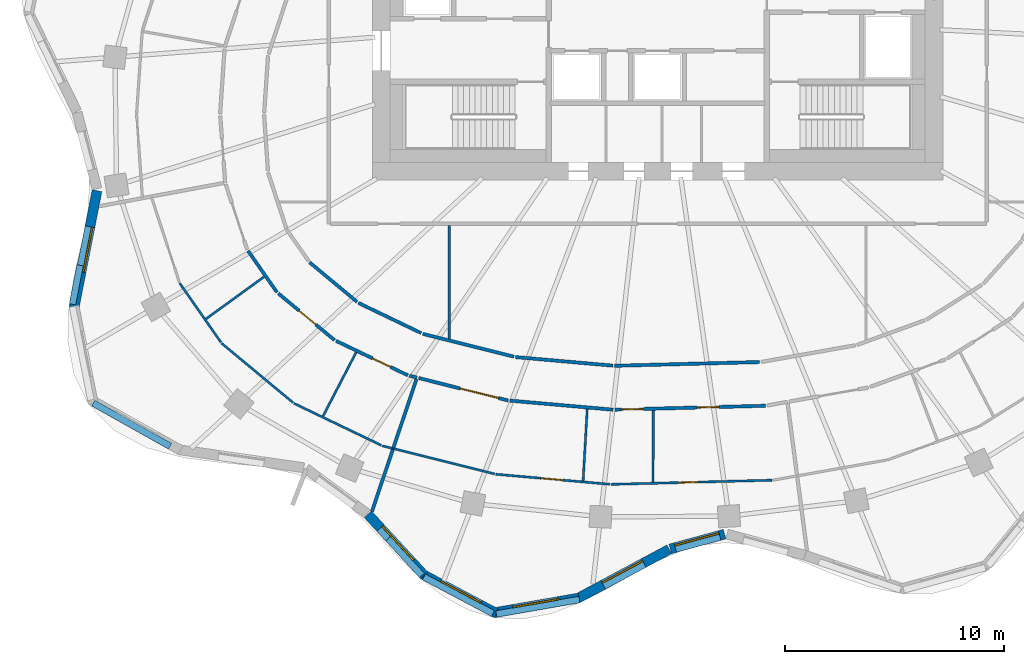
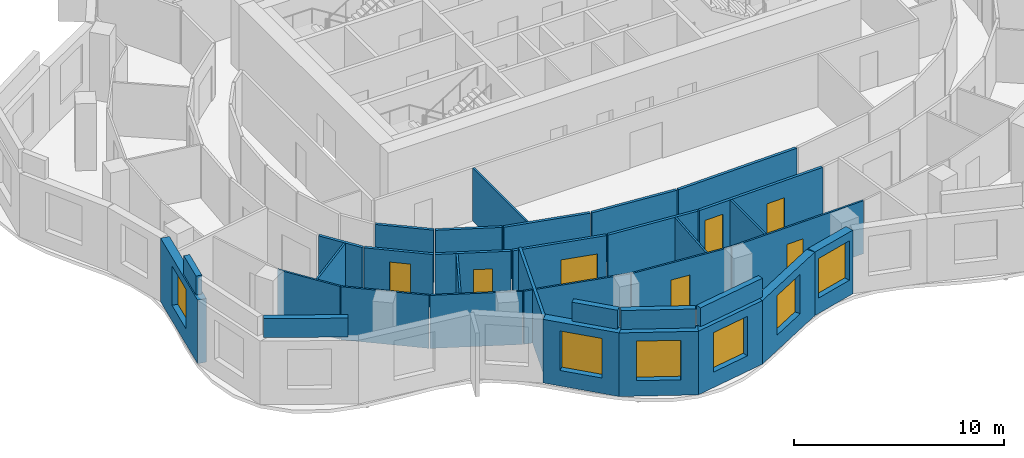
# One storey, part 3 of 11: 36 walls, 7 doors, 6 windows, 13 openings.
"""IFC4 building model written with IfcOpenShell, lengths in metres."""

from ifc_helpers import new_model, si_unit, direction, frame, frame_2d, origin, place, context, subcontext, project, spatial, rectangle, extrude, material, layer, layer_set, type_object, element, fill, save


model = new_model("IFC4")

# Units and contexts
model_context = context("Model", 3, precision=1e-05, world=origin(), true_north=direction((0.0, 1.0)))
body_context = subcontext(model_context, "Body", "Model", "MODEL_VIEW")
ifc_project = project(units=[si_unit("LENGTHUNIT", "METRE"), si_unit("AREAUNIT", "SQUARE_METRE"), si_unit("VOLUMEUNIT", "CUBIC_METRE"), si_unit("PLANEANGLEUNIT", "RADIAN"), si_unit("MASSUNIT", "GRAM", prefix="KILO")], contexts=[model_context])

# Site, building, storey
site_placement = place(None, origin())
site = spatial("IfcSite", under=ifc_project, at=site_placement, CompositionType="ELEMENT")
building_placement = place(site_placement, origin())
building = spatial("IfcBuilding", under=site, at=building_placement, Name="Rubra Terraces Tower", CompositionType="ELEMENT")
storey_placement = place(building_placement, frame((0.0, 0.0, 181.800048828125)))
storey = spatial("IfcBuildingStorey", under=building, at=storey_placement, Name="L44", CompositionType="ELEMENT", Elevation=181.800048828125)

# Wall, opening, window
ifc_material_1 = material(Name="Brick masonry red-brown", Category="masonry")
ifc_layer_1 = layer(ifc_material_1, 0.449951171875)
ifc_layer_set_1 = layer_set([ifc_layer_1], Name="Brick masonry red-brown")
wall_type_1 = type_object("IfcWallType", Name="Brick facade wall 450", PredefinedType="SOLIDWALL", material=ifc_layer_set_1)
wall_1_placement = place(storey_placement, frame((-25.561279296875, -3.490478515625, 0.0), z_axis=(0.0, 0.0, 1.0), x_axis=(-0.192494026297, -0.981298145234, 0.0)))
wall_1 = element("IfcWall", 1, at=wall_1_placement, inside=storey, type_object=wall_type_1, Name="Facade wall L44 bay 22", PredefinedType="SOLIDWALL", context=body_context, shape_type="SweptSolid", body=[
    extrude(rectangle(XDim=5.446044921875, YDim=0.449951171875, at=frame_2d((2.72314453125, 0.0))), origin(), (0.0, 0.0, 1.0), 3.699951171875),
])
opening_1_placement = place(wall_1_placement, frame((1.673095703125, 0.0, 0.89990234375)))
opening_1 = element("IfcOpeningElement", 2, at=opening_1_placement, cuts=wall_1, Name="Opening W1B", PredefinedType="OPENING", context=body_context, shape_type="SweptSolid", body=[
    extrude(rectangle(XDim=2.10009765625, YDim=2.300048828125, at=frame_2d((1.050048828125, 1.14990234375))), frame((0.0, 0.23486328125, 0.0), z_axis=(0.0, -1.0, 0.0), x_axis=(1.0, 0.0, 0.0)), (0.0, 0.0, 1.0), 0.469970703125),
])
ifc_material_2 = material(Name="Clear glass in aluminium frame", Category="aluminium")
window_type = type_object("IfcWindowType", Name="Fixed deep-set window tall storey 2100 x 2300", PartitioningType="SINGLE_PANEL", PredefinedType="WINDOW", material=ifc_material_2)
window_1_placement = place(opening_1_placement, origin())
window_1 = element("IfcWindow", 3, at=window_1_placement, inside=storey, type_object=window_type, Name="Window L44 bay 22", OverallHeight=2.300048828125, OverallWidth=2.10009765625, PartitioningType="SINGLE_PANEL", PredefinedType="WINDOW", context=body_context, shape_type="SweptSolid", body=[
    extrude(rectangle(XDim=2.10009765625, YDim=2.300048828125, at=frame_2d((1.050048828125, 1.14990234375))), frame((0.0, 0.135009765625, 0.0), z_axis=(0.0, -1.0, 0.0), x_axis=(1.0, 0.0, 0.0)), (0.0, 0.0, 1.0), 0.06005859375),
])
fill(opening_1, window_1)

wall_2_placement = place(storey_placement, frame((-13.20947265625, -18.242919921875, 0.0), z_axis=(0.0, 0.0, 1.0), x_axis=(0.677612152497, -0.735419452278, 0.0)))
wall_2 = element("IfcWall", 4, at=wall_2_placement, inside=storey, type_object=wall_type_1, Name="Facade wall L44 bay 27", PredefinedType="SOLIDWALL", context=body_context, shape_type="SweptSolid", body=[
    extrude(rectangle(XDim=3.796875, YDim=0.449951171875, at=frame_2d((1.8984375, 0.0))), origin(), (0.0, 0.0, 1.0), 3.699951171875),
])
opening_2_placement = place(wall_2_placement, frame((0.848388671875, 0.0, 0.89990234375)))
opening_2 = element("IfcOpeningElement", 5, at=opening_2_placement, cuts=wall_2, Name="Opening W1B", PredefinedType="OPENING", context=body_context, shape_type="SweptSolid", body=[
    extrude(rectangle(XDim=2.10009765625, YDim=2.300048828125, at=frame_2d((1.050048828125, 1.14990234375))), frame((0.0, 0.23486328125, 0.0), z_axis=(0.0, -1.0, 0.0), x_axis=(1.0, 0.0, 0.0)), (0.0, 0.0, 1.0), 0.469970703125),
])
window_2_placement = place(opening_2_placement, origin())
window_2 = element("IfcWindow", 6, at=window_2_placement, inside=storey, type_object=window_type, Name="Window L44 bay 27", OverallHeight=2.300048828125, OverallWidth=2.10009765625, PartitioningType="SINGLE_PANEL", PredefinedType="WINDOW", context=body_context, shape_type="SweptSolid", body=[
    extrude(rectangle(XDim=2.10009765625, YDim=2.300048828125, at=frame_2d((1.050048828125, 1.14990234375))), frame((0.0, 0.135009765625, 0.0), z_axis=(0.0, -1.0, 0.0), x_axis=(1.0, 0.0, 0.0)), (0.0, 0.0, 1.0), 0.06005859375),
])
fill(opening_2, window_2)

wall_3_placement = place(storey_placement, frame((-10.692626953125, -20.9931640625, 0.0), z_axis=(0.0, 0.0, 1.0), x_axis=(0.883817790726, -0.46783128668, 0.0)))
wall_3 = element("IfcWall", 7, at=wall_3_placement, inside=storey, type_object=wall_type_1, Name="Facade wall L44 bay 28", PredefinedType="SOLIDWALL", context=body_context, shape_type="SweptSolid", body=[
    extrude(rectangle(XDim=3.776611328125, YDim=0.449951171875, at=frame_2d((1.88818359375, 0.0))), origin(), (0.0, 0.0, 1.0), 3.699951171875),
])
opening_3_placement = place(wall_3_placement, frame((0.83837890625, 0.0, 0.89990234375)))
opening_3 = element("IfcOpeningElement", 8, at=opening_3_placement, cuts=wall_3, Name="Opening W1B", PredefinedType="OPENING", context=body_context, shape_type="SweptSolid", body=[
    extrude(rectangle(XDim=2.10009765625, YDim=2.300048828125, at=frame_2d((1.050048828125, 1.14990234375))), frame((0.0, 0.23486328125, 0.0), z_axis=(0.0, -1.0, 0.0), x_axis=(1.0, 0.0, 0.0)), (0.0, 0.0, 1.0), 0.469970703125),
])
window_3_placement = place(opening_3_placement, origin())
window_3 = element("IfcWindow", 9, at=window_3_placement, inside=storey, type_object=window_type, Name="Window L44 bay 28", OverallHeight=2.300048828125, OverallWidth=2.10009765625, PartitioningType="SINGLE_PANEL", PredefinedType="WINDOW", context=body_context, shape_type="SweptSolid", body=[
    extrude(rectangle(XDim=2.10009765625, YDim=2.300048828125, at=frame_2d((1.050048828125, 1.14990234375))), frame((0.0, 0.135009765625, 0.0), z_axis=(0.0, -1.0, 0.0), x_axis=(1.0, 0.0, 0.0)), (0.0, 0.0, 1.0), 0.06005859375),
])
fill(opening_3, window_3)

wall_4_placement = place(storey_placement, frame((-7.49853515625, -22.7373046875, 0.0), z_axis=(0.0, 0.0, 1.0), x_axis=(0.98521220506, 0.171338585849, 0.0)))
wall_4 = element("IfcWall", 10, at=wall_4_placement, inside=storey, type_object=wall_type_1, Name="Facade wall L44 bay 29", PredefinedType="SOLIDWALL", context=body_context, shape_type="SweptSolid", body=[
    extrude(rectangle(XDim=3.979736328125, YDim=0.449951171875, at=frame_2d((1.98974609375, 0.0))), origin(), (0.0, 0.0, 1.0), 3.699951171875),
])
opening_4_placement = place(wall_4_placement, frame((0.93994140625, 0.0, 0.89990234375)))
opening_4 = element("IfcOpeningElement", 11, at=opening_4_placement, cuts=wall_4, Name="Opening W1B", PredefinedType="OPENING", context=body_context, shape_type="SweptSolid", body=[
    extrude(rectangle(XDim=2.10009765625, YDim=2.300048828125, at=frame_2d((1.050048828125, 1.14990234375))), frame((0.0, 0.23486328125, 0.0), z_axis=(0.0, -1.0, 0.0), x_axis=(1.0, 0.0, 0.0)), (0.0, 0.0, 1.0), 0.469970703125),
])
window_4_placement = place(opening_4_placement, origin())
window_4 = element("IfcWindow", 12, at=window_4_placement, inside=storey, type_object=window_type, Name="Window L44 bay 29", OverallHeight=2.300048828125, OverallWidth=2.10009765625, PartitioningType="SINGLE_PANEL", PredefinedType="WINDOW", context=body_context, shape_type="SweptSolid", body=[
    extrude(rectangle(XDim=2.10009765625, YDim=2.300048828125, at=frame_2d((1.050048828125, 1.14990234375))), frame((0.0, 0.135009765625, 0.0), z_axis=(0.0, -1.0, 0.0), x_axis=(1.0, 0.0, 0.0)), (0.0, 0.0, 1.0), 0.06005859375),
])
fill(opening_4, window_4)

wall_5_placement = place(storey_placement, frame((-3.6455078125, -22.07861328125, 0.0), z_axis=(0.0, 0.0, 1.0), x_axis=(0.881279133897, 0.472596115259, 0.0)))
wall_5 = element("IfcWall", 13, at=wall_5_placement, inside=storey, type_object=wall_type_1, Name="Facade wall L44 bay 30", PredefinedType="SOLIDWALL", context=body_context, shape_type="SweptSolid", body=[
    extrude(rectangle(XDim=4.736572265625, YDim=0.449951171875, at=frame_2d((2.3681640625, 0.0))), origin(), (0.0, 0.0, 1.0), 3.699951171875),
])
opening_5_placement = place(wall_5_placement, frame((1.318115234375, 0.0, 0.89990234375)))
opening_5 = element("IfcOpeningElement", 14, at=opening_5_placement, cuts=wall_5, Name="Opening W1B", PredefinedType="OPENING", context=body_context, shape_type="SweptSolid", body=[
    extrude(rectangle(XDim=2.10009765625, YDim=2.300048828125, at=frame_2d((1.050048828125, 1.14990234375))), frame((0.0, 0.23486328125, 0.0), z_axis=(0.0, -1.0, 0.0), x_axis=(1.0, 0.0, 0.0)), (0.0, 0.0, 1.0), 0.469970703125),
])
window_5_placement = place(opening_5_placement, origin())
window_5 = element("IfcWindow", 15, at=window_5_placement, inside=storey, type_object=window_type, Name="Window L44 bay 30", OverallHeight=2.300048828125, OverallWidth=2.10009765625, PartitioningType="SINGLE_PANEL", PredefinedType="WINDOW", context=body_context, shape_type="SweptSolid", body=[
    extrude(rectangle(XDim=2.10009765625, YDim=2.300048828125, at=frame_2d((1.050048828125, 1.14990234375))), frame((0.0, 0.135009765625, 0.0), z_axis=(0.0, -1.0, 0.0), x_axis=(1.0, 0.0, 0.0)), (0.0, 0.0, 1.0), 0.06005859375),
])
fill(opening_5, window_5)

wall_6_placement = place(storey_placement, frame((0.576171875, -19.8212890625, 0.0), z_axis=(0.0, 0.0, 1.0), x_axis=(0.965009398019, 0.262215296532, 0.0)))
wall_6 = element("IfcWall", 16, at=wall_6_placement, inside=storey, type_object=wall_type_1, Name="Facade wall L44 bay 31", PredefinedType="SOLIDWALL", context=body_context, shape_type="SweptSolid", body=[
    extrude(rectangle(XDim=2.565185546875, YDim=0.449951171875, at=frame_2d((1.28271484375, 0.0))), origin(), (0.0, 0.0, 1.0), 3.699951171875),
])
opening_6_placement = place(wall_6_placement, frame((0.232666015625, 0.0, 0.89990234375)))
opening_6 = element("IfcOpeningElement", 17, at=opening_6_placement, cuts=wall_6, Name="Opening W1B", PredefinedType="OPENING", context=body_context, shape_type="SweptSolid", body=[
    extrude(rectangle(XDim=2.10009765625, YDim=2.300048828125, at=frame_2d((1.050048828125, 1.14990234375))), frame((0.0, 0.23486328125, 0.0), z_axis=(0.0, -1.0, 0.0), x_axis=(1.0, 0.0, 0.0)), (0.0, 0.0, 1.0), 0.469970703125),
])
window_6_placement = place(opening_6_placement, origin())
window_6 = element("IfcWindow", 18, at=window_6_placement, inside=storey, type_object=window_type, Name="Window L44 bay 31", OverallHeight=2.300048828125, OverallWidth=2.10009765625, PartitioningType="SINGLE_PANEL", PredefinedType="WINDOW", context=body_context, shape_type="SweptSolid", body=[
    extrude(rectangle(XDim=2.10009765625, YDim=2.300048828125, at=frame_2d((1.050048828125, 1.14990234375))), frame((0.0, 0.135009765625, 0.0), z_axis=(0.0, -1.0, 0.0), x_axis=(1.0, 0.0, 0.0)), (0.0, 0.0, 1.0), 0.06005859375),
])
fill(opening_6, window_6)

# Walls
ifc_layer_2 = layer(ifc_material_1, 0.300048828125)
ifc_layer_set_2 = layer_set([ifc_layer_2], Name="Brick masonry red-brown")
wall_type_2 = type_object("IfcWallType", Name="Brick parapet 300", PredefinedType="PARAPET", material=ifc_layer_set_2)
wall_7_placement = place(storey_placement, frame((-26.33154296875, -6.888671875, 3.89990234375), z_axis=(0.0, 0.0, 1.0), x_axis=(-0.192480725658, -0.981300754229, 0.0)))
element("IfcWall", 19, at=wall_7_placement, inside=storey, type_object=wall_type_2, Name="Parapet L44 bay 22", PredefinedType="PARAPET", context=body_context, shape_type="SweptSolid", body=[
    extrude(rectangle(XDim=1.808837890625, YDim=0.300048828125, at=frame_2d((0.904296875, 0.0))), origin(), (0.0, 0.0, 1.0), 1.10009765625),
])
wall_8_placement = place(storey_placement, frame((-25.733642578125, -13.175537109375, 3.89990234375), z_axis=(0.0, 0.0, 1.0), x_axis=(0.872347343965, -0.488886603905, 0.0)))
element("IfcWall", 20, at=wall_8_placement, inside=storey, type_object=wall_type_2, Name="Parapet L44 bay 24", PredefinedType="PARAPET", context=body_context, shape_type="SweptSolid", body=[
    extrude(rectangle(XDim=4.015625, YDim=0.300048828125, at=frame_2d((2.0078125, 0.0))), origin(), (0.0, 0.0, 1.0), 1.10009765625),
])
wall_9_placement = place(storey_placement, frame((-12.287841796875, -19.353759765625, 3.89990234375), z_axis=(0.0, 0.0, 1.0), x_axis=(0.677603807485, -0.735427141246, 0.0)))
element("IfcWall", 21, at=wall_9_placement, inside=storey, type_object=wall_type_2, Name="Parapet L44 bay 27", PredefinedType="PARAPET", context=body_context, shape_type="SweptSolid", body=[
    extrude(rectangle(XDim=2.280029296875, YDim=0.300048828125, at=frame_2d((1.14013671875, 0.0))), origin(), (0.0, 0.0, 1.0), 1.10009765625),
])
wall_10_placement = place(storey_placement, frame((-10.656005859375, -21.097412109375, 3.89990234375), z_axis=(0.0, 0.0, 1.0), x_axis=(0.883797916666, -0.467868830439, 0.0)))
element("IfcWall", 22, at=wall_10_placement, inside=storey, type_object=wall_type_2, Name="Parapet L44 bay 28", PredefinedType="PARAPET", context=body_context, shape_type="SweptSolid", body=[
    extrude(rectangle(XDim=3.56298828125, YDim=0.300048828125, at=frame_2d((1.781494140625, 0.0))), origin(), (0.0, 0.0, 1.0), 1.10009765625),
])
wall_11_placement = place(storey_placement, frame((-7.35498046875, -22.78857421875, 3.89990234375), z_axis=(0.0, 0.0, 1.0), x_axis=(0.985201040548, 0.171402770404, 0.0)))
element("IfcWall", 23, at=wall_11_placement, inside=storey, type_object=wall_type_2, Name="Parapet L44 bay 29", PredefinedType="PARAPET", context=body_context, shape_type="SweptSolid", body=[
    extrude(rectangle(XDim=3.84716796875, YDim=0.300048828125, at=frame_2d((1.923583984375, 0.0))), origin(), (0.0, 0.0, 1.0), 1.10009765625),
])
ifc_material_3 = material(Name="Plasterboard on steel stud, mineral wool infill", Category="steel")
ifc_layer_3 = layer(ifc_material_3, 0.14990234375)
ifc_layer_set_3 = layer_set([ifc_layer_3], Name="Plasterboard on steel stud, mineral wool infill")
wall_type_3 = type_object("IfcWallType", Name="CORRIDOR PARTITION 150", PredefinedType="PARTITIONING", material=ifc_layer_set_3)
wall_12_placement = place(storey_placement, frame((-18.673828125, -6.231689453125, 0.0), z_axis=(0.0, 0.0, 1.0), x_axis=(0.572118665737, -0.820170855563, 0.0)))
element("IfcWall", 24, at=wall_12_placement, inside=storey, type_object=wall_type_3, Name="PARTITION", PredefinedType="PARTITIONING", context=body_context, shape_type="SweptSolid", body=[
    extrude(rectangle(XDim=2.30615234375, YDim=0.14990234375, at=frame_2d((1.153076171875, 0.0))), origin(), (0.0, 0.0, 1.0), 3.083984375),
])

# Wall, opening, door
wall_13_placement = place(storey_placement, frame((-17.296875, -8.1708984375, 0.0), z_axis=(0.0, 0.0, 1.0), x_axis=(0.769228575061, -0.638973707839, 0.0)))
wall_13 = element("IfcWall", 25, at=wall_13_placement, inside=storey, type_object=wall_type_3, Name="PARTITION", PredefinedType="PARTITIONING", context=body_context, shape_type="SweptSolid", body=[
    extrude(rectangle(XDim=3.33447265625, YDim=0.14990234375, at=frame_2d((1.667236328125, 0.0))), origin(), (0.0, 0.0, 1.0), 3.083984375),
])
opening_7_placement = place(wall_13_placement, frame((1.23388671875, 0.0, 0.0)))
opening_7 = element("IfcOpeningElement", 26, at=opening_7_placement, cuts=wall_13, Name="Opening 44-115", PredefinedType="OPENING", context=body_context, shape_type="SweptSolid", body=[
    extrude(rectangle(XDim=1.0, YDim=2.39990234375, at=frame_2d((0.5, 1.199951171875))), frame((0.0, 0.0849609375, 0.0), z_axis=(0.0, -1.0, 0.0), x_axis=(1.0, 0.0, 0.0)), (0.0, 0.0, 1.0), 0.169921875),
])
ifc_material_4 = material(Name="Glazed aluminium meeting door leaf", Category="aluminium")
door_type_1 = type_object("IfcDoorType", Name="MEETING ROOM GLAZED DOOR 1000 X 2400", OperationType="SINGLE_SWING_LEFT", PredefinedType="DOOR", material=ifc_material_4)
door_1_placement = place(opening_7_placement, origin())
door_1 = element("IfcDoor", 27, at=door_1_placement, inside=storey, type_object=door_type_1, Name="DOOR 44-115", OperationType="SINGLE_SWING_RIGHT", OverallHeight=2.39990234375, OverallWidth=1.0, PredefinedType="DOOR", context=body_context, shape_type="SweptSolid", body=[
    extrude(rectangle(XDim=1.0, YDim=2.39990234375, at=frame_2d((0.5, 1.199951171875))), frame((0.0, 0.02490234375, 0.0), z_axis=(0.0, -1.0, 0.0), x_axis=(1.0, 0.0, 0.0)), (0.0, 0.0, 1.0), 0.050048828125),
])
fill(opening_7, door_1)

wall_14_placement = place(storey_placement, frame((-14.664306640625, -10.333984375, 0.0), z_axis=(0.0, 0.0, 1.0), x_axis=(0.901507315282, -0.432763862278, 0.0)))
wall_14 = element("IfcWall", 28, at=wall_14_placement, inside=storey, type_object=wall_type_3, Name="PARTITION", PredefinedType="PARTITIONING", context=body_context, shape_type="SweptSolid", body=[
    extrude(rectangle(XDim=3.63037109375, YDim=0.14990234375, at=frame_2d((1.815185546875, 0.0))), origin(), (0.0, 0.0, 1.0), 3.083984375),
])
opening_8_placement = place(wall_14_placement, frame((1.85009765625, 0.0, 0.0)))
opening_8 = element("IfcOpeningElement", 29, at=opening_8_placement, cuts=wall_14, Name="Opening 44-136", PredefinedType="OPENING", context=body_context, shape_type="SweptSolid", body=[
    extrude(rectangle(XDim=0.89990234375, YDim=2.10009765625, at=frame_2d((0.449951171875, 1.050048828125))), frame((0.0, 0.0849609375, 0.0), z_axis=(0.0, -1.0, 0.0), x_axis=(1.0, 0.0, 0.0)), (0.0, 0.0, 1.0), 0.169921875),
])
ifc_material_5 = material(Name="Painted timber door leaf", Category="wood")
door_type_2 = type_object("IfcDoorType", Name="BATHROOM DOOR 900 X 2100", OperationType="SINGLE_SWING_LEFT", PredefinedType="DOOR", material=ifc_material_5)
door_2_placement = place(opening_8_placement, origin())
door_2 = element("IfcDoor", 30, at=door_2_placement, inside=storey, type_object=door_type_2, Name="DOOR 44-136", OperationType="SINGLE_SWING_RIGHT", OverallHeight=2.10009765625, OverallWidth=0.89990234375, PredefinedType="DOOR", context=body_context, shape_type="SweptSolid", body=[
    extrude(rectangle(XDim=0.89990234375, YDim=2.10009765625, at=frame_2d((0.449951171875, 1.050048828125))), frame((0.0, 0.02490234375, 0.0), z_axis=(0.0, -1.0, 0.0), x_axis=(1.0, 0.0, 0.0)), (0.0, 0.0, 1.0), 0.050048828125),
])
fill(opening_8, door_2)

# Wall
wall_15_placement = place(storey_placement, frame((-11.318603515625, -11.923095703125, 0.0), z_axis=(0.0, 0.0, 1.0), x_axis=(0.969942256681, -0.243335198242, 0.0)))
element("IfcWall", 31, at=wall_15_placement, inside=storey, type_object=wall_type_3, Name="PARTITION", PredefinedType="PARTITIONING", context=body_context, shape_type="SweptSolid", body=[
    extrude(rectangle(XDim=0.359130859375, YDim=0.14990234375, at=frame_2d((0.1796875, 0.0))), origin(), (0.0, 0.0, 1.0), 3.083984375),
])

# Wall, opening, door
wall_16_placement = place(storey_placement, frame((-10.8974609375, -12.02880859375, 0.0), z_axis=(0.0, 0.0, 1.0), x_axis=(0.969999087169, -0.24310855783, 0.0)))
wall_16 = element("IfcWall", 32, at=wall_16_placement, inside=storey, type_object=wall_type_3, Name="PARTITION", PredefinedType="PARTITIONING", context=body_context, shape_type="SweptSolid", body=[
    extrude(rectangle(XDim=4.210693359375, YDim=0.14990234375, at=frame_2d((2.10546875, 0.0))), origin(), (0.0, 0.0, 1.0), 3.083984375),
])
opening_9_placement = place(wall_16_placement, frame((1.949951171875, 0.0, 0.0)))
opening_9 = element("IfcOpeningElement", 33, at=opening_9_placement, cuts=wall_16, Name="Opening 44-116", PredefinedType="OPENING", context=body_context, shape_type="SweptSolid", body=[
    extrude(rectangle(XDim=1.800048828125, YDim=2.10009765625, at=frame_2d((0.89990234375, 1.050048828125))), frame((0.0, 0.0849609375, 0.0), z_axis=(0.0, -1.0, 0.0), x_axis=(1.0, 0.0, 0.0)), (0.0, 0.0, 1.0), 0.169921875),
])
ifc_material_6 = material(Name="Painted timber door leaf, double", Category="wood")
door_type_3 = type_object("IfcDoorType", Name="ROOM DOUBLE DOOR 1800 X 2100", OperationType="DOUBLE_DOOR_SINGLE_SWING", PredefinedType="DOOR", material=ifc_material_6)
door_3_placement = place(opening_9_placement, origin())
door_3 = element("IfcDoor", 34, at=door_3_placement, inside=storey, type_object=door_type_3, Name="DOOR 44-116", OperationType="DOUBLE_DOOR_SINGLE_SWING", OverallHeight=2.10009765625, OverallWidth=1.800048828125, PredefinedType="DOOR", context=body_context, shape_type="SweptSolid", body=[
    extrude(rectangle(XDim=1.800048828125, YDim=2.10009765625, at=frame_2d((0.89990234375, 1.050048828125))), frame((0.0, 0.02490234375, 0.0), z_axis=(0.0, -1.0, 0.0), x_axis=(1.0, 0.0, 0.0)), (0.0, 0.0, 1.0), 0.050048828125),
])
fill(opening_9, door_3)

# Wall
wall_17_placement = place(storey_placement, frame((-6.73828125, -13.05908203125, 0.0), z_axis=(0.0, 0.0, 1.0), x_axis=(0.996143527037, -0.087738666181, 0.0)))
element("IfcWall", 35, at=wall_17_placement, inside=storey, type_object=wall_type_3, Name="PARTITION", PredefinedType="PARTITIONING", context=body_context, shape_type="SweptSolid", body=[
    extrude(rectangle(XDim=4.73046875, YDim=0.14990234375, at=frame_2d((2.365234375, 0.0))), origin(), (0.0, 0.0, 1.0), 3.083984375),
])

# Wall, openings, doors
wall_18_placement = place(storey_placement, frame((-1.951171875, -13.472412109375, 0.0), z_axis=(0.0, 0.0, 1.0), x_axis=(0.999663898238, 0.025924709429, 0.0)))
wall_18 = element("IfcWall", 36, at=wall_18_placement, inside=storey, type_object=wall_type_3, Name="PARTITION", PredefinedType="PARTITIONING", context=body_context, shape_type="SweptSolid", body=[
    extrude(rectangle(XDim=6.87451171875, YDim=0.14990234375, at=frame_2d((3.437255859375, 0.0))), origin(), (0.0, 0.0, 1.0), 3.083984375),
])
opening_10_placement = place(wall_18_placement, frame((0.300048828125, 0.0, 0.0)))
opening_10 = element("IfcOpeningElement", 37, at=opening_10_placement, cuts=wall_18, Name="Opening 44-117", PredefinedType="OPENING", context=body_context, shape_type="SweptSolid", body=[
    extrude(rectangle(XDim=1.0, YDim=2.39990234375, at=frame_2d((0.5, 1.199951171875))), frame((0.0, 0.0849609375, 0.0), z_axis=(0.0, -1.0, 0.0), x_axis=(1.0, 0.0, 0.0)), (0.0, 0.0, 1.0), 0.169921875),
])
opening_11_placement = place(wall_18_placement, frame((3.75, 0.0, 0.0)))
opening_11 = element("IfcOpeningElement", 38, at=opening_11_placement, cuts=wall_18, Name="Opening 44-138", PredefinedType="OPENING", context=body_context, shape_type="SweptSolid", body=[
    extrude(rectangle(XDim=1.0, YDim=2.10009765625, at=frame_2d((0.5, 1.050048828125))), frame((0.0, 0.0849609375, 0.0), z_axis=(0.0, -1.0, 0.0), x_axis=(1.0, 0.0, 0.0)), (0.0, 0.0, 1.0), 0.169921875),
])
door_4_placement = place(opening_10_placement, origin())
door_4 = element("IfcDoor", 39, at=door_4_placement, inside=storey, type_object=door_type_1, Name="DOOR 44-117", OperationType="SINGLE_SWING_RIGHT", OverallHeight=2.39990234375, OverallWidth=1.0, PredefinedType="DOOR", context=body_context, shape_type="SweptSolid", body=[
    extrude(rectangle(XDim=1.0, YDim=2.39990234375, at=frame_2d((0.5, 1.199951171875))), frame((0.0, 0.02490234375, 0.0), z_axis=(0.0, -1.0, 0.0), x_axis=(1.0, 0.0, 0.0)), (0.0, 0.0, 1.0), 0.050048828125),
])
fill(opening_10, door_4)
door_type_4 = type_object("IfcDoorType", Name="ROOM DOOR 1000 X 2100", OperationType="SINGLE_SWING_LEFT", PredefinedType="DOOR", material=ifc_material_5)
door_5_placement = place(opening_11_placement, origin())
door_5 = element("IfcDoor", 40, at=door_5_placement, inside=storey, type_object=door_type_4, Name="DOOR 44-138", OperationType="SINGLE_SWING_RIGHT", OverallHeight=2.10009765625, OverallWidth=1.0, PredefinedType="DOOR", context=body_context, shape_type="SweptSolid", body=[
    extrude(rectangle(XDim=1.0, YDim=2.10009765625, at=frame_2d((0.5, 1.050048828125))), frame((0.0, 0.02490234375, 0.0), z_axis=(0.0, -1.0, 0.0), x_axis=(1.0, 0.0, 0.0)), (0.0, 0.0, 1.0), 0.050048828125),
])
fill(opening_11, door_5)

# Walls
wall_19_placement = place(storey_placement, frame((4.64453125, -11.30078125, 0.0), z_axis=(0.0, 0.0, 1.0), x_axis=(-0.9996648469, -0.02588810291, 0.0)))
element("IfcWall", 41, at=wall_19_placement, inside=storey, type_object=wall_type_3, Name="PARTITION", PredefinedType="PARTITIONING", context=body_context, shape_type="SweptSolid", body=[
    extrude(rectangle(XDim=6.61083984375, YDim=0.14990234375, at=frame_2d((3.305419921875, 0.0))), origin(), (0.0, 0.0, 1.0), 3.083984375),
])
wall_20_placement = place(storey_placement, frame((-2.038818359375, -11.46533203125, 0.0), z_axis=(0.0, 0.0, 1.0), x_axis=(-0.996139855484, 0.087780341286, 0.0)))
element("IfcWall", 42, at=wall_20_placement, inside=storey, type_object=wall_type_3, Name="PARTITION", PredefinedType="PARTITIONING", context=body_context, shape_type="SweptSolid", body=[
    extrude(rectangle(XDim=4.458251953125, YDim=0.14990234375, at=frame_2d((2.22900390625, 0.0))), origin(), (0.0, 0.0, 1.0), 3.083984375),
])
wall_21_placement = place(storey_placement, frame((-6.552734375, -11.055908203125, 0.0), z_axis=(0.0, 0.0, 1.0), x_axis=(-0.970004917182, 0.243085294995, 0.0)))
element("IfcWall", 43, at=wall_21_placement, inside=storey, type_object=wall_type_3, Name="PARTITION", PredefinedType="PARTITIONING", context=body_context, shape_type="SweptSolid", body=[
    extrude(rectangle(XDim=4.284423828125, YDim=0.14990234375, at=frame_2d((2.14208984375, 0.0))), origin(), (0.0, 0.0, 1.0), 3.083984375),
])
wall_22_placement = place(storey_placement, frame((-10.7763671875, -9.981689453125, 0.0), z_axis=(0.0, 0.0, 1.0), x_axis=(-0.901511079436, 0.432756020933, 0.0)))
element("IfcWall", 44, at=wall_22_placement, inside=storey, type_object=wall_type_3, Name="PARTITION", PredefinedType="PARTITIONING", context=body_context, shape_type="SweptSolid", body=[
    extrude(rectangle(XDim=3.1806640625, YDim=0.14990234375, at=frame_2d((1.59033203125, 0.0))), origin(), (0.0, 0.0, 1.0), 3.083984375),
])
wall_23_placement = place(storey_placement, frame((-13.70166015625, -8.557373046875, 0.0), z_axis=(0.0, 0.0, 1.0), x_axis=(-0.769221825067, 0.638981833733, 0.0)))
element("IfcWall", 45, at=wall_23_placement, inside=storey, type_object=wall_type_3, Name="PARTITION", PredefinedType="PARTITIONING", context=body_context, shape_type="SweptSolid", body=[
    extrude(rectangle(XDim=2.8173828125, YDim=0.14990234375, at=frame_2d((1.40869140625, 0.0))), origin(), (0.0, 0.0, 1.0), 3.083984375),
])
ifc_material_7 = material(Name="Plasterboard on steel stud", Category="steel")
ifc_layer_4 = layer(ifc_material_7, 0.10009765625)
ifc_layer_set_4 = layer_set([ifc_layer_4], Name="Plasterboard on steel stud")
wall_type_4 = type_object("IfcWallType", Name="ROOM PARTITION 100", PredefinedType="PARTITIONING", material=ifc_layer_set_4)
wall_24_placement = place(storey_placement, frame((-12.07763671875, -15.23828125, 0.0), z_axis=(0.0, 0.0, 1.0), x_axis=(-0.970024978464, 0.243005228658, 0.0)))
element("IfcWall", 46, at=wall_24_placement, inside=storey, type_object=wall_type_4, Name="PARTITION", PredefinedType="PARTITIONING", context=body_context, shape_type="SweptSolid", body=[
    extrude(rectangle(XDim=0.4892578125, YDim=0.10009765625, at=frame_2d((0.24462890625, 0.0))), origin(), (0.0, 0.0, 1.0), 3.083984375),
])
wall_25_placement = place(storey_placement, frame((-12.597412109375, -15.09765625, 0.0), z_axis=(0.0, 0.0, 1.0), x_axis=(-0.901514437286, 0.432749025839, 0.0)))
element("IfcWall", 47, at=wall_25_placement, inside=storey, type_object=wall_type_4, Name="PARTITION", PredefinedType="PARTITIONING", context=body_context, shape_type="SweptSolid", body=[
    extrude(rectangle(XDim=4.419677734375, YDim=0.10009765625, at=frame_2d((2.2099609375, 0.0))), origin(), (0.0, 0.0, 1.0), 3.083984375),
])
wall_26_placement = place(storey_placement, frame((-16.6201171875, -13.153076171875, 0.0), z_axis=(0.0, 0.0, 1.0), x_axis=(-0.76922129881, 0.638982467253, 0.0)))
element("IfcWall", 48, at=wall_26_placement, inside=storey, type_object=wall_type_4, Name="PARTITION", PredefinedType="PARTITIONING", context=body_context, shape_type="SweptSolid", body=[
    extrude(rectangle(XDim=4.23828125, YDim=0.10009765625, at=frame_2d((2.119140625, 0.0))), origin(), (0.0, 0.0, 1.0), 3.083984375),
])
wall_27_placement = place(storey_placement, frame((-19.908935546875, -10.40380859375, 0.0), z_axis=(0.0, 0.0, 1.0), x_axis=(-0.572111951901, 0.820175538828, 0.0)))
element("IfcWall", 49, at=wall_27_placement, inside=storey, type_object=wall_type_4, Name="PARTITION", PredefinedType="PARTITIONING", context=body_context, shape_type="SweptSolid", body=[
    extrude(rectangle(XDim=3.2900390625, YDim=0.10009765625, at=frame_2d((1.64501953125, 0.0))), origin(), (0.0, 0.0, 1.0), 3.083984375),
])
wall_28_placement = place(storey_placement, frame((-17.9423828125, -7.41162109375, 0.0), z_axis=(0.0, 0.0, 1.0), x_axis=(-0.809425321456, -0.587222827372, 0.0)))
element("IfcWall", 50, at=wall_28_placement, inside=storey, type_object=wall_type_4, Name="PARTITION", PredefinedType="PARTITIONING", context=body_context, shape_type="SweptSolid", body=[
    extrude(rectangle(XDim=3.275390625, YDim=0.10009765625, at=frame_2d((1.6376953125, 0.0))), origin(), (0.0, 0.0, 1.0), 3.083984375),
])
wall_29_placement = place(storey_placement, frame((-13.7470703125, -10.857421875, 0.0), z_axis=(0.0, 0.0, 1.0), x_axis=(-0.460160569956, -0.887835711074, 0.0)))
element("IfcWall", 51, at=wall_29_placement, inside=storey, type_object=wall_type_4, Name="PARTITION", PredefinedType="PARTITIONING", context=body_context, shape_type="SweptSolid", body=[
    extrude(rectangle(XDim=3.276611328125, YDim=0.10009765625, at=frame_2d((1.63818359375, 0.0))), origin(), (0.0, 0.0, 1.0), 3.083984375),
])

# Wall, opening, door
wall_30_placement = place(storey_placement, frame((5.2138671875, -16.687744140625, 0.0), z_axis=(0.0, 0.0, 1.0), x_axis=(-0.999664981446, -0.025882906921, 0.0)))
wall_30 = element("IfcWall", 52, at=wall_30_placement, inside=storey, type_object=wall_type_4, Name="PARTITION", PredefinedType="PARTITIONING", context=body_context, shape_type="SweptSolid", body=[
    extrude(rectangle(XDim=7.347900390625, YDim=0.10009765625, at=frame_2d((3.673828125, 0.0))), origin(), (0.0, 0.0, 1.0), 3.083984375),
])
opening_12_placement = place(wall_30_placement, frame((3.364013671875, 0.0, 0.0)))
opening_12 = element("IfcOpeningElement", 53, at=opening_12_placement, cuts=wall_30, Name="Opening 44-118", PredefinedType="OPENING", context=body_context, shape_type="SweptSolid", body=[
    extrude(rectangle(XDim=0.89990234375, YDim=2.10009765625, at=frame_2d((0.449951171875, 1.050048828125))), frame((0.0, 0.06005859375, 0.0), z_axis=(0.0, -1.0, 0.0), x_axis=(1.0, 0.0, 0.0)), (0.0, 0.0, 1.0), 0.1201171875),
])
door_type_5 = type_object("IfcDoorType", Name="ROOM DOOR 900 X 2100", OperationType="SINGLE_SWING_LEFT", PredefinedType="DOOR", material=ifc_material_5)
door_6_placement = place(opening_12_placement, origin())
door_6 = element("IfcDoor", 54, at=door_6_placement, inside=storey, type_object=door_type_5, Name="DOOR 44-118", OperationType="SINGLE_SWING_LEFT", OverallHeight=2.10009765625, OverallWidth=0.89990234375, PredefinedType="DOOR", context=body_context, shape_type="SweptSolid", body=[
    extrude(rectangle(XDim=0.89990234375, YDim=2.10009765625, at=frame_2d((0.449951171875, 1.050048828125))), frame((0.0, 0.02490234375, 0.0), z_axis=(0.0, -1.0, 0.0), x_axis=(1.0, 0.0, 0.0)), (0.0, 0.0, 1.0), 0.050048828125),
])
fill(opening_12, door_6)

wall_31_placement = place(storey_placement, frame((-2.181396484375, -16.87353515625, 0.0), z_axis=(0.0, 0.0, 1.0), x_axis=(-0.996143934904, 0.087734035321, 0.0)))
wall_31 = element("IfcWall", 55, at=wall_31_placement, inside=storey, type_object=wall_type_4, Name="PARTITION", PredefinedType="PARTITIONING", context=body_context, shape_type="SweptSolid", body=[
    extrude(rectangle(XDim=5.217529296875, YDim=0.10009765625, at=frame_2d((2.60888671875, 0.0))), origin(), (0.0, 0.0, 1.0), 3.083984375),
])
opening_13_placement = place(wall_31_placement, frame((2.14990234375, 0.0, 0.0)))
opening_13 = element("IfcOpeningElement", 56, at=opening_13_placement, cuts=wall_31, Name="Opening 44-137", PredefinedType="OPENING", context=body_context, shape_type="SweptSolid", body=[
    extrude(rectangle(XDim=1.0, YDim=2.10009765625, at=frame_2d((0.5, 1.050048828125))), frame((0.0, 0.06005859375, 0.0), z_axis=(0.0, -1.0, 0.0), x_axis=(1.0, 0.0, 0.0)), (0.0, 0.0, 1.0), 0.1201171875),
])
door_7_placement = place(opening_13_placement, origin())
door_7 = element("IfcDoor", 57, at=door_7_placement, inside=storey, type_object=door_type_4, Name="DOOR 44-137", OperationType="SINGLE_SWING_LEFT", OverallHeight=2.10009765625, OverallWidth=1.0, PredefinedType="DOOR", context=body_context, shape_type="SweptSolid", body=[
    extrude(rectangle(XDim=1.0, YDim=2.10009765625, at=frame_2d((0.5, 1.050048828125))), frame((0.0, 0.02490234375, 0.0), z_axis=(0.0, -1.0, 0.0), x_axis=(1.0, 0.0, 0.0)), (0.0, 0.0, 1.0), 0.050048828125),
])
fill(opening_13, door_7)

# Walls
wall_32_placement = place(storey_placement, frame((-7.427490234375, -16.403564453125, 0.0), z_axis=(0.0, 0.0, 1.0), x_axis=(-0.970009433409, 0.243067272783, 0.0)))
element("IfcWall", 58, at=wall_32_placement, inside=storey, type_object=wall_type_4, Name="PARTITION", PredefinedType="PARTITIONING", context=body_context, shape_type="SweptSolid", body=[
    extrude(rectangle(XDim=4.75390625, YDim=0.10009765625, at=frame_2d((2.376953125, 0.0))), origin(), (0.0, 0.0, 1.0), 3.083984375),
])
wall_33_placement = place(storey_placement, frame((-3.211181640625, -13.445068359375, 0.0), z_axis=(0.0, 0.0, 1.0), x_axis=(-0.056703901856, -0.99839103938, 0.0)))
element("IfcWall", 59, at=wall_33_placement, inside=storey, type_object=wall_type_4, Name="PARTITION", PredefinedType="PARTITIONING", context=body_context, shape_type="SweptSolid", body=[
    extrude(rectangle(XDim=3.276611328125, YDim=0.10009765625, at=frame_2d((1.63818359375, 0.0))), origin(), (0.0, 0.0, 1.0), 3.083984375),
])
wall_34_placement = place(storey_placement, frame((-0.19921875, -13.501953125, 0.0), z_axis=(0.0, 0.0, 1.0), x_axis=(-0.002309978934, -0.999997331995, 0.0)))
element("IfcWall", 60, at=wall_34_placement, inside=storey, type_object=wall_type_4, Name="PARTITION", PredefinedType="PARTITIONING", context=body_context, shape_type="SweptSolid", body=[
    extrude(rectangle(XDim=3.2763671875, YDim=0.10009765625, at=frame_2d((1.63818359375, 0.0))), origin(), (0.0, 0.0, 1.0), 3.083984375),
])
wall_35_placement = place(storey_placement, frame((-9.5, -10.2421875, 0.0), z_axis=(0.0, 0.0, 1.0), x_axis=(0.0, 1.0, 0.0)))
element("IfcWall", 61, at=wall_35_placement, inside=storey, type_object=wall_type_4, Name="PARTITION", PredefinedType="PARTITIONING", context=body_context, shape_type="SweptSolid", body=[
    extrude(rectangle(XDim=5.167236328125, YDim=0.10009765625, at=frame_2d((2.58349609375, 0.0))), origin(), (0.0, 0.0, 1.0), 3.083984375),
])
ifc_layer_5 = layer(ifc_material_7, 0.14990234375)
ifc_layer_set_5 = layer_set([ifc_layer_5], Name="Plasterboard on steel stud")
wall_type_5 = type_object("IfcWallType", Name="ROOM PARTITION 150", PredefinedType="PARTITIONING", material=ifc_layer_set_5)
wall_36_placement = place(storey_placement, frame((-13.024169921875, -18.112060546875, 0.0), z_axis=(0.0, 0.0, 1.0), x_axis=(0.319081027508, 0.947727438605, 0.0)))
element("IfcWall", 62, at=wall_36_placement, inside=storey, type_object=wall_type_5, Name="PARTITION", PredefinedType="PARTITIONING", context=body_context, shape_type="SweptSolid", body=[
    extrude(rectangle(XDim=6.36279296875, YDim=0.14990234375, at=frame_2d((3.181396484375, 0.0))), origin(), (0.0, 0.0, 1.0), 3.23388671875),
])

save(model, "model.ifc")
